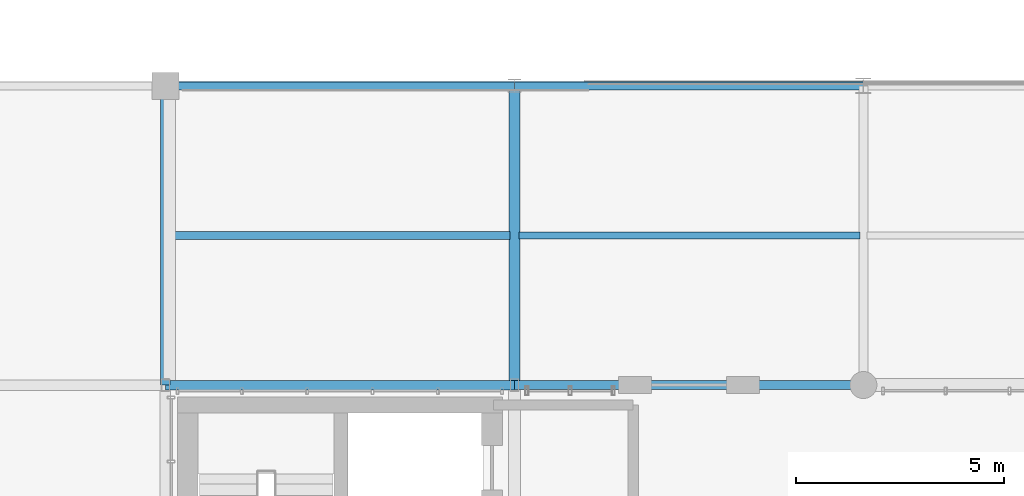
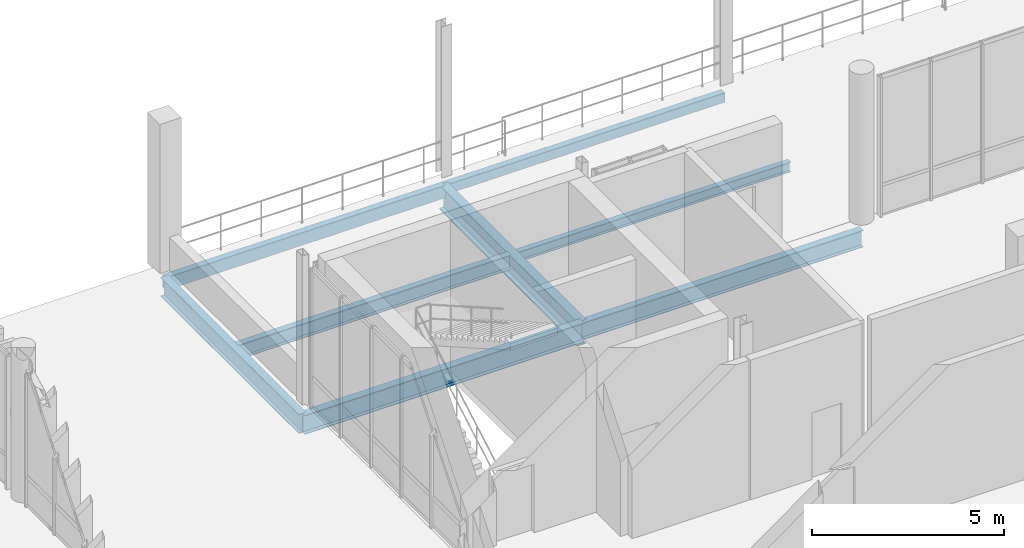
# One storey, part 30 of 81: 8 beams.
"""IFC4 building model written with IfcOpenShell, lengths in metres."""

import ifcopenshell
import ifcopenshell.guid

model = None  # the IFC model being written
_history = None  # IfcOwnerHistory: only IFC2X3 demands one
_inside = {}  # id of a spatial element -> (the spatial element, [elements in it])
_under = {}  # id of a project, library or spatial element -> (it, [spatial elements below it])
_declared = {}  # id of a project -> (the project, [libraries it declares])
_typed = {}  # id of a type object -> (the type object, [elements of that type])
_made_of = {}  # id of a material, layer set ... -> (it, [elements and type objects made of it])


def new_model(schema):
    """Start an empty IFC model of exactly this schema.

    Asked for "IFC4X3", IfcOpenShell would pick the latest addendum, in which some entities
    have other attributes; the version numbers below select the first issue.
    IFC2X3 requires an IfcOwnerHistory on every rooted entity: one is made here for all.
    """
    global model, _history
    if schema == "IFC4X3":
        model = ifcopenshell.file(schema_version=(4, 3, 0, 0))
    else:
        model = ifcopenshell.file(schema=schema)
    _inside.clear()
    _under.clear()
    _declared.clear()
    _typed.clear()
    _made_of.clear()
    _history = None
    if model.schema == "IFC2X3":
        org = make("IfcOrganization", Name="unknown")
        user = make(
            "IfcPersonAndOrganization",
            ThePerson=make("IfcPerson", FamilyName="unknown"),
            TheOrganization=org,
        )
        app = make(
            "IfcApplication",
            ApplicationDeveloper=org,
            Version="unknown",
            ApplicationFullName="unknown",
            ApplicationIdentifier="unknown",
        )
        _history = make(
            "IfcOwnerHistory",
            OwningUser=user,
            OwningApplication=app,
            ChangeAction="ADDED",
            CreationDate=0,
        )
    return model


def make(cls, **values):
    """One entity of the class cls with the attributes given. An attribute that is None is left unset."""
    return model.create_entity(
        cls, **{name: value for name, value in values.items() if value is not None}
    )


def rooted(cls, **values):
    """An entity with a GlobalId (a new one), such as an element, a storey or a relation."""
    return make(cls, GlobalId=ifcopenshell.guid.new(), OwnerHistory=_history, **values)


def si_unit(unit_type, name, prefix=None):
    """IfcSIUnit, for example si_unit("LENGTHUNIT", "METRE", prefix="MILLI")."""
    return make("IfcSIUnit", UnitType=unit_type, Prefix=prefix, Name=name)


def assignment(units):
    """IfcUnitAssignment: the units of a project."""
    return None if units is None else make("IfcUnitAssignment", Units=units)


def point(xyz):
    """IfcCartesianPoint."""
    return None if xyz is None else make("IfcCartesianPoint", Coordinates=xyz)


def direction(xyz):
    """IfcDirection."""
    return None if xyz is None else make("IfcDirection", DirectionRatios=xyz)


def frame(location, z_axis=None, x_axis=None):
    """IfcAxis2Placement3D, a coordinate frame: its origin and axes. An axis left out is left unset."""
    return make(
        "IfcAxis2Placement3D",
        Location=point(location),
        Axis=direction(z_axis),
        RefDirection=direction(x_axis),
    )


def frame_2d(location, x_axis=None):
    """IfcAxis2Placement2D, a coordinate frame in the plane: its origin and x axis."""
    return make(
        "IfcAxis2Placement2D", Location=point(location), RefDirection=direction(x_axis)
    )


def origin_with_axes():
    """The frame at (0, 0, 0) with the z axis (0, 0, 1) and the x axis (1, 0, 0) written out."""
    return frame((0.0, 0.0, 0.0), z_axis=(0.0, 0.0, 1.0), x_axis=(1.0, 0.0, 0.0))


def origin_2d_with_axis():
    """The frame at (0, 0) in the plane with the x axis (1, 0) written out."""
    return frame_2d((0.0, 0.0), x_axis=(1.0, 0.0))


def place(relative_to, where):
    """IfcLocalPlacement: puts the frame where relative to a parent placement (None: the world)."""
    return make(
        "IfcLocalPlacement", PlacementRelTo=relative_to, RelativePlacement=where
    )


def context(
    kind, dimensions, precision=None, world=None, true_north=None, identifier=None
):
    """IfcGeometricRepresentationContext, for example the 3D "Model" context."""
    return make(
        "IfcGeometricRepresentationContext",
        ContextIdentifier=identifier,
        ContextType=kind,
        CoordinateSpaceDimension=dimensions,
        Precision=precision,
        WorldCoordinateSystem=world,
        TrueNorth=true_north,
    )


def subcontext(parent, identifier, kind, view, scale=None):
    """IfcGeometricRepresentationSubContext, for example "Body" below "Model"."""
    return make(
        "IfcGeometricRepresentationSubContext",
        ContextIdentifier=identifier,
        ContextType=kind,
        ParentContext=parent,
        TargetScale=scale,
        TargetView=view,
    )


def project(units=None, contexts=None):
    """IfcProject with its units and contexts."""
    return rooted(
        "IfcProject",
        Name="project",
        RepresentationContexts=contexts,
        UnitsInContext=assignment(units),
    )


def spatial(cls, under=None, at=None, **own):
    """A site, building, storey or space (cls), placed at a placement, below another one or the project."""
    s = rooted(cls, ObjectPlacement=at, **own)
    if under is not None:
        _under.setdefault(under.id(), (under, []))[1].append(s)
    return s


def profile(cls, at=None, kind="AREA", **sizes):
    """A parametric profile (cls). Its sizes go by their IFC names, for example OverallWidth=200.0."""
    return make(cls, ProfileType=kind, Position=at, **sizes)


def hollow_rectangle(**sizes):
    """IfcRectangleHollowProfileDef."""
    return profile("IfcRectangleHollowProfileDef", **sizes)


def i_section(**sizes):
    """IfcIShapeProfileDef."""
    return profile("IfcIShapeProfileDef", **sizes)


def extrude(swept, where, along, depth):
    """IfcExtrudedAreaSolid: the profile swept, set in the frame where, extruded along a direction by depth."""
    return make(
        "IfcExtrudedAreaSolid",
        SweptArea=swept,
        Position=where,
        ExtrudedDirection=direction(along),
        Depth=depth,
    )


def shape(context_of_items, identifier, shape_type, items):
    """IfcShapeRepresentation: the items that make up one representation, for example the "Body"."""
    return make(
        "IfcShapeRepresentation",
        ContextOfItems=context_of_items,
        RepresentationIdentifier=identifier,
        RepresentationType=shape_type,
        Items=items,
    )


def material(Name=None, Category=None):
    """IfcMaterial."""
    return make("IfcMaterial", Name=Name, Category=Category)


def material_profile(
    of_material, cross_section, Name=None, Category=None, Priority=None
):
    """IfcMaterialProfile: a cross section and its material."""
    return make(
        "IfcMaterialProfile",
        Name=Name,
        Material=of_material,
        Profile=cross_section,
        Priority=Priority,
        Category=Category,
    )


def profile_set(profiles, Name=None, composite=None):
    """IfcMaterialProfileSet."""
    return make(
        "IfcMaterialProfileSet",
        Name=Name,
        MaterialProfiles=profiles,
        CompositeProfile=composite,
    )


def made_of(thing, what):
    """Note that an element or type object is made of a material, layer set ...; save() writes the relation."""
    if what is not None:
        _made_of.setdefault(what.id(), (what, []))[1].append(thing)
    return thing


def type_object(cls, material=None, **own):
    """A type object (cls), such as IfcWallType, which elements share."""
    return made_of(rooted(cls, **own), material)


def element(
    cls,
    number,
    at=None,
    inside=None,
    cuts=None,
    type_object=None,
    material=None,
    context=None,
    identifier="Body",
    shape_type=None,
    held_by="IfcProductDefinitionShape",
    body=None,
    shapes=None,
    **own,
):
    """One element of the class cls, such as IfcWall. Its Tag is "e" and its number.

    at: its placement. inside: the storey or other place that contains it. cuts: it is an
    opening in that element (IfcRelVoidsElement). A single representation is given by context,
    identifier, shape_type and body (its items); several are given by shapes. held_by: the class
    of the entity that holds the representations. save() writes the other relations.
    """
    e = rooted(cls, Tag="e%d" % number, ObjectPlacement=at, **own)
    if body is not None:
        shapes = [shape(context, identifier, shape_type, body)]
    if shapes is not None:
        e.Representation = make(held_by, Representations=shapes)
    if inside is not None:
        _inside.setdefault(inside.id(), (inside, []))[1].append(e)
    if cuts is not None:
        rooted(
            "IfcRelVoidsElement", RelatingBuildingElement=cuts, RelatedOpeningElement=e
        )
    if type_object is not None:
        _typed.setdefault(type_object.id(), (type_object, []))[1].append(e)
    return made_of(e, material)


def aggregate(whole, parts):
    """IfcRelAggregates: a whole, such as a stair, and the parts it consists of."""
    return rooted("IfcRelAggregates", RelatingObject=whole, RelatedObjects=parts)


def save(model, path):
    """Write the relations noted so far, then the file.

    IfcRelAggregates (storeys below a building ...), IfcRelContainedInSpatialStructure (elements
    in a storey), IfcRelDefinesByType, IfcRelAssociatesMaterial and IfcRelDeclares: one each for
    every whole, place, type object, material and project.
    """
    for whole, parts in _under.values():
        aggregate(whole, parts)
    for where, things in _inside.values():
        rooted(
            "IfcRelContainedInSpatialStructure",
            RelatedElements=things,
            RelatingStructure=where,
        )
    for kind, things in _typed.values():
        rooted("IfcRelDefinesByType", RelatedObjects=things, RelatingType=kind)
    for what, things in _made_of.values():
        rooted("IfcRelAssociatesMaterial", RelatedObjects=things, RelatingMaterial=what)
    for by, libraries in _declared.values():
        rooted("IfcRelDeclares", RelatingContext=by, RelatedDefinitions=libraries)
    model.write(path)


model = new_model("IFC4")

# Units and contexts
model_context = context("Model", 3, precision=1e-05, world=origin_with_axes(), true_north=direction((0.0, 1.0)))
body_context = subcontext(model_context, "Body", "Model", "MODEL_VIEW")
ifc_project = project(units=[si_unit("LENGTHUNIT", "METRE"), si_unit("AREAUNIT", "SQUARE_METRE"), si_unit("VOLUMEUNIT", "CUBIC_METRE"), si_unit("PLANEANGLEUNIT", "RADIAN"), si_unit("MASSUNIT", "GRAM", prefix="KILO"), si_unit("THERMODYNAMICTEMPERATUREUNIT", "KELVIN")], contexts=[model_context])

# Site, building, storey
site_placement = place(None, origin_with_axes())
site = spatial("IfcSite", under=ifc_project, at=site_placement, CompositionType="ELEMENT")
building_placement = place(site_placement, origin_with_axes())
building = spatial("IfcBuilding", under=site, at=building_placement, Name="Montbau Bow Law Courts", CompositionType="ELEMENT")
storey_placement = place(building_placement, frame((0.0, 0.0, 24.9), z_axis=(0.0, 0.0, 1.0), x_axis=(1.0, 0.0, 0.0)))
storey = spatial("IfcBuildingStorey", under=building, at=storey_placement, Name="L05", CompositionType="ELEMENT", Elevation=24.9)

# Beams
ifc_material_1 = material(Name="Steel CSA G40.21 Grade 350W (350 MPa)", Category="steel")
ifc_material_profile_1 = material_profile(ifc_material_1, i_section(OverallWidth=0.267, OverallDepth=0.766, WebThickness=0.0149, FlangeThickness=0.0236, at=origin_2d_with_axis()), Name="W760X185", Category="Main", Priority=0)
ifc_profile_set_1 = profile_set([ifc_material_profile_1], Name="Steel CSA G40.21 Grade 350W (350 MPa)")
beam_type_1 = type_object("IfcBeamType", Name="B-FLR-03", PredefinedType="BEAM", material=ifc_profile_set_1)
beam_1_placement = place(None, frame((63.6, 54.6, 24.197), z_axis=(0.0, 1.0, 0.0), x_axis=(-1.0, 0.0, 0.0)))
element("IfcBeam", 1, at=beam_1_placement, inside=storey, type_object=beam_type_1, Name="BM-L05-S0985:bm2_0988", PredefinedType="BEAM", context=body_context, shape_type="SweptSolid", body=[
    extrude(i_section(OverallWidth=0.267, OverallDepth=0.766, WebThickness=0.0149, FlangeThickness=0.0236, at=origin_2d_with_axis()), origin_with_axes(), (0.0, 0.0, 1.0), 7.2),
])
ifc_material_profile_2 = material_profile(ifc_material_1, i_section(OverallWidth=0.229, OverallDepth=0.612, WebThickness=0.0119, FlangeThickness=0.0196, at=origin_2d_with_axis()), Name="W610X125", Category="Main", Priority=0)
ifc_profile_set_2 = profile_set([ifc_material_profile_2], Name="Steel CSA G40.21 Grade 350W (350 MPa)")
beam_type_2 = type_object("IfcBeamType", Name="B-FLR-05", PredefinedType="BEAM", material=ifc_profile_set_2)
beam_2_placement = place(None, frame((55.2, 54.6, 24.274), z_axis=(1.0, 0.0, 0.0), x_axis=(0.0, 1.0, 0.0)))
element("IfcBeam", 2, at=beam_2_placement, inside=storey, type_object=beam_type_2, Name="BM-L05-S0969:bm2_0972", PredefinedType="BEAM", context=body_context, shape_type="SweptSolid", body=[
    extrude(i_section(OverallWidth=0.229, OverallDepth=0.612, WebThickness=0.0119, FlangeThickness=0.0196, at=origin_2d_with_axis()), origin_with_axes(), (0.0, 0.0, 1.0), 8.4),
])
beam_3_placement = place(None, frame((55.2, 54.6, 24.274), z_axis=(0.0, 1.0, 0.0), x_axis=(-1.0, 0.0, 0.0)))
element("IfcBeam", 3, at=beam_3_placement, inside=storey, type_object=beam_type_2, Name="BM-L05-S0982:bm2_0985", PredefinedType="BEAM", context=body_context, shape_type="SweptSolid", body=[
    extrude(i_section(OverallWidth=0.229, OverallDepth=0.612, WebThickness=0.0119, FlangeThickness=0.0196, at=origin_2d_with_axis()), origin_with_axes(), (0.0, 0.0, 1.0), 7.2),
])
ifc_material_profile_3 = material_profile(ifc_material_1, i_section(OverallWidth=0.21, OverallDepth=0.537, WebThickness=0.0109, FlangeThickness=0.0174, at=origin_2d_with_axis()), Name="W530X101", Category="Main", Priority=0)
ifc_profile_set_3 = profile_set([ifc_material_profile_3], Name="Steel CSA G40.21 Grade 350W (350 MPa)")
beam_type_3 = type_object("IfcBeamType", Name="B-FLR-06", PredefinedType="BEAM", material=ifc_profile_set_3)
beam_4_placement = place(None, frame((63.6, 54.6, 24.311), z_axis=(1.0, 0.0, 0.0), x_axis=(0.0, 1.0, 0.0)))
element("IfcBeam", 4, at=beam_4_placement, inside=storey, type_object=beam_type_3, Name="BM-L05-S0970:bm2_0973", PredefinedType="BEAM", context=body_context, shape_type="SweptSolid", body=[
    extrude(i_section(OverallWidth=0.21, OverallDepth=0.537, WebThickness=0.0109, FlangeThickness=0.0174, at=origin_2d_with_axis()), origin_with_axes(), (0.0, 0.0, 1.0), 8.4),
])
ifc_material_profile_4 = material_profile(ifc_material_1, i_section(OverallWidth=0.191, OverallDepth=0.46, WebThickness=0.0099, FlangeThickness=0.016, at=origin_2d_with_axis()), Name="W460X82", Category="Main", Priority=0)
ifc_profile_set_4 = profile_set([ifc_material_profile_4], Name="Steel CSA G40.21 Grade 350W (350 MPa)")
beam_type_4 = type_object("IfcBeamType", Name="B-JST-01", PredefinedType="JOIST", material=ifc_profile_set_4)
beam_5_placement = place(None, frame((55.291, 58.2, 24.35), z_axis=(1.0, 0.0, 0.0), x_axis=(0.0, 1.0, 0.0)))
element("IfcBeam", 5, at=beam_5_placement, inside=storey, type_object=beam_type_4, Name="JST-L05-S0496:jst2_0496", PredefinedType="JOIST", context=body_context, shape_type="SweptSolid", body=[
    extrude(i_section(OverallWidth=0.191, OverallDepth=0.46, WebThickness=0.0099, FlangeThickness=0.016, at=origin_2d_with_axis()), origin_with_axes(), (0.0, 0.0, 1.0), 8.2),
])
ifc_material_profile_5 = material_profile(ifc_material_1, i_section(OverallWidth=0.166, OverallDepth=0.313, WebThickness=0.0066, FlangeThickness=0.0112, at=origin_2d_with_axis()), Name="W310X45", Category="Main", Priority=0)
ifc_profile_set_5 = profile_set([ifc_material_profile_5], Name="Steel CSA G40.21 Grade 350W (350 MPa)")
beam_type_5 = type_object("IfcBeamType", Name="B-JST-04", PredefinedType="JOIST", material=ifc_profile_set_5)
beam_6_placement = place(None, frame((63.709, 58.2, 24.423), z_axis=(1.0, 0.0, 0.0), x_axis=(0.0, 1.0, 0.0)))
element("IfcBeam", 6, at=beam_6_placement, inside=storey, type_object=beam_type_5, Name="JST-L05-S0499:jst2_0499", PredefinedType="JOIST", context=body_context, shape_type="SweptSolid", body=[
    extrude(i_section(OverallWidth=0.166, OverallDepth=0.313, WebThickness=0.0066, FlangeThickness=0.0112, at=origin_2d_with_axis()), origin_with_axes(), (0.0, 0.0, 1.0), 8.21),
])
ifc_material_2 = material(Name="Steel CSA G40.21 Grade 350WT (350 MPa)", Category="steel")
ifc_material_profile_6 = material_profile(ifc_material_2, hollow_rectangle(XDim=0.203, YDim=0.406, WallThickness=0.0127, InnerFilletRadius=0.0254, OuterFilletRadius=0.0127, at=origin_2d_with_axis()), Name="HSS406X203X13", Category="Main", Priority=0)
ifc_profile_set_6 = profile_set([ifc_material_profile_6], Name="Steel CSA G40.21 Grade 350WT (350 MPa)")
beam_type_6 = type_object("IfcBeamType", Name="B-SPN-01", PredefinedType="SPANDREL", material=ifc_profile_set_6)
beam_7_placement = place(None, frame((55.2, 61.8, 24.377), z_axis=(1.0, 0.0, 0.0), x_axis=(0.0, 1.0, 0.0)))
element("IfcBeam", 7, at=beam_7_placement, inside=storey, type_object=beam_type_6, Name="SPN-L05-S0975:bm2_0978", PredefinedType="SPANDREL", context=body_context, shape_type="SweptSolid", body=[
    extrude(hollow_rectangle(XDim=0.203, YDim=0.406, WallThickness=0.0127, InnerFilletRadius=0.0254, OuterFilletRadius=0.0127, at=origin_2d_with_axis()), origin_with_axes(), (0.0, 0.0, 1.0), 8.4),
])
ifc_material_profile_7 = material_profile(ifc_material_2, hollow_rectangle(XDim=0.203, YDim=0.305, WallThickness=0.0127, InnerFilletRadius=0.0254, OuterFilletRadius=0.0127, at=origin_2d_with_axis()), Name="HSS305X203X13", Category="Main", Priority=0)
ifc_profile_set_7 = profile_set([ifc_material_profile_7], Name="Steel CSA G40.21 Grade 350WT (350 MPa)")
beam_type_7 = type_object("IfcBeamType", Name="B-SPN-02", PredefinedType="SPANDREL", material=ifc_profile_set_7)
beam_8_placement = place(None, frame((63.6, 61.8, 24.427), z_axis=(1.0, 0.0, 0.0), x_axis=(0.0, 1.0, 0.0)))
element("IfcBeam", 8, at=beam_8_placement, inside=storey, type_object=beam_type_7, Name="SPN-L05-S0976:bm2_0979", PredefinedType="SPANDREL", context=body_context, shape_type="SweptSolid", body=[
    extrude(hollow_rectangle(XDim=0.203, YDim=0.305, WallThickness=0.0127, InnerFilletRadius=0.0254, OuterFilletRadius=0.0127, at=origin_2d_with_axis()), origin_with_axes(), (0.0, 0.0, 1.0), 8.4),
])

save(model, "model.ifc")
